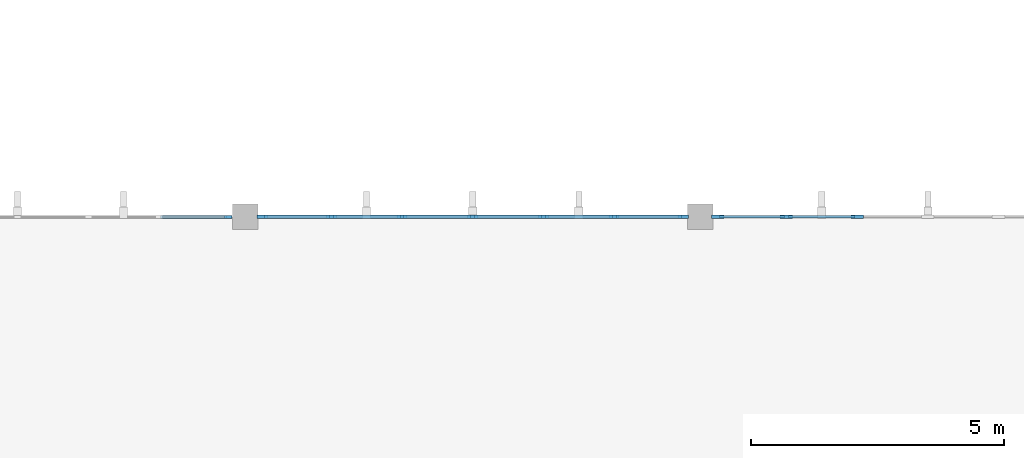
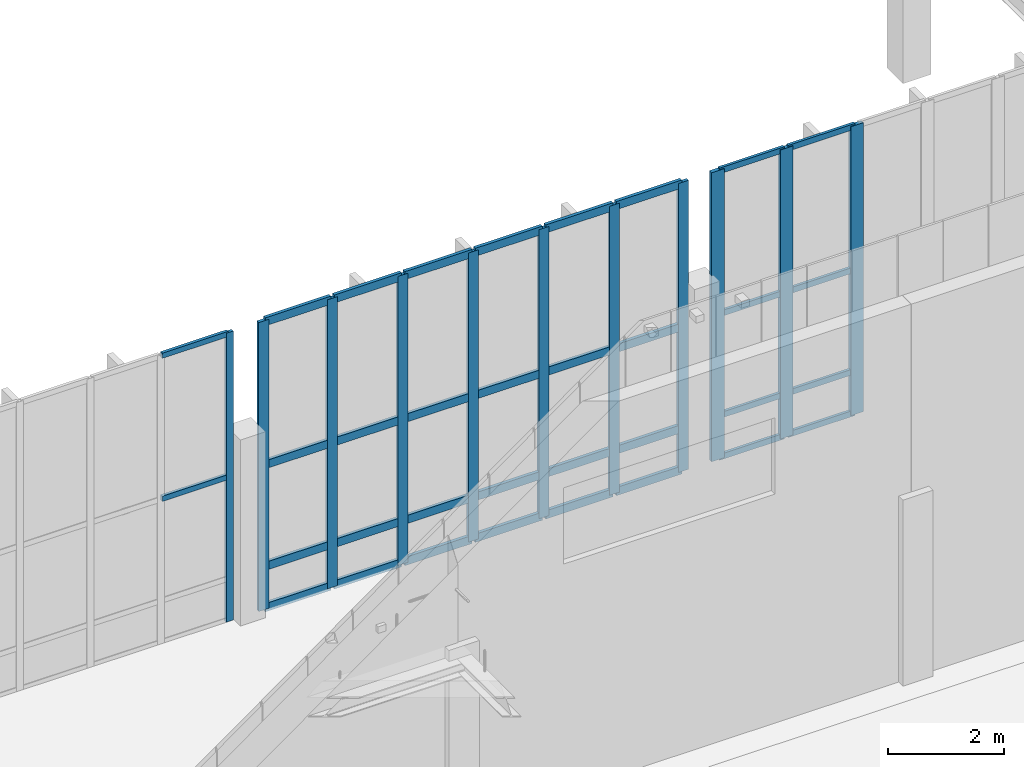
# One storey, part 26 of 67: 45 members, 3 elements without a shape of their own.
"""IFC4 building model written with IfcOpenShell, lengths in metres."""

from ifc_helpers import new_model, si_unit, direction, frame, origin, origin_2d, place, context, subcontext, project, spatial, rectangle, extrude, material, material_profile, profile_set, type_object, element, aggregate, save


model = new_model("IFC4")

# Units and contexts
model_context = context("Model", 3, precision=1e-05, world=origin(), true_north=direction((0.0, 1.0)))
body_context = subcontext(model_context, "Body", "Model", "MODEL_VIEW")
ifc_project = project(units=[si_unit("LENGTHUNIT", "METRE"), si_unit("AREAUNIT", "SQUARE_METRE"), si_unit("VOLUMEUNIT", "CUBIC_METRE"), si_unit("PLANEANGLEUNIT", "RADIAN"), si_unit("MASSUNIT", "GRAM", prefix="KILO")], contexts=[model_context])

# Site, building, storey
site_placement = place(None, origin())
site = spatial("IfcSite", under=ifc_project, at=site_placement, CompositionType="ELEMENT")
building_placement = place(site_placement, origin())
building = spatial("IfcBuilding", under=site, at=building_placement, Name="Tizgana Railside Sports Hall", CompositionType="ELEMENT")
storey_placement = place(building_placement, frame((0.0, 0.0, 12.0)))
storey = spatial("IfcBuildingStorey", under=building, at=storey_placement, Name="L02", CompositionType="ELEMENT", Elevation=12.0)

# Curtain wall, member
ifc_material_1 = material(Name="Anodised aluminium and glass", Category="aluminium")
curtain_wall_type_1 = type_object("IfcCurtainWallType", Name="Unitised Curtain Wall Concourse 1500", PredefinedType="NOTDEFINED", material=ifc_material_1)
curtain_wall_1_placement = place(storey_placement, origin())
curtain_wall_1 = element("IfcCurtainWall", 1, at=curtain_wall_1_placement, inside=storey, type_object=curtain_wall_type_1, Name="L02 Curtain Wall CW-0024", PredefinedType="NOTDEFINED")
ifc_material_2 = material(Name="Anodised aluminium", Category="aluminium")
ifc_material_profile_1 = material_profile(ifc_material_2, rectangle(XDim=0.06005859375, YDim=0.139892578125, at=origin_2d()), Name="Mullion 60x140")
ifc_profile_set_1 = profile_set([ifc_material_profile_1], Name="Anodised aluminium")
member_type_1 = type_object("IfcMemberType", Name="Mullion 60x140", PredefinedType="MULLION", material=ifc_profile_set_1)
member_1_placement = place(storey_placement, frame((115.465087890625, 80.39990234375, 0.0), z_axis=(0.0, 0.0, 1.0), x_axis=(0.0, 1.0, 0.0)))
member_1 = element("IfcMember", 2, at=member_1_placement, type_object=member_type_1, Name="CW-01 mullion 7", PredefinedType="MULLION", context=body_context, shape_type="SweptSolid", body=[
    extrude(rectangle(XDim=0.06005859375, YDim=0.139892578125, at=origin_2d()), origin(), (0.0, 0.0, 1.0), 6.06005859375),
])

# Curtain wall, members
curtain_wall_type_2 = type_object("IfcCurtainWallType", Name="Unitised Curtain Wall Climbing 1600", PredefinedType="NOTDEFINED", material=ifc_material_1)
curtain_wall_2_placement = place(storey_placement, origin())
curtain_wall_2 = element("IfcCurtainWall", 3, at=curtain_wall_2_placement, inside=storey, type_object=curtain_wall_type_2, Name="L02 Curtain Wall CW-0027", PredefinedType="NOTDEFINED")
ifc_material_profile_2 = material_profile(ifc_material_2, rectangle(XDim=0.06494140625, YDim=0.199951171875, at=origin_2d()), Name="Mullion 65x200")
ifc_profile_set_2 = profile_set([ifc_material_profile_2], Name="Anodised aluminium")
member_type_2 = type_object("IfcMemberType", Name="Mullion 65x200", PredefinedType="MULLION", material=ifc_profile_set_2)
member_2_placement = place(storey_placement, frame((116.137451171875, 80.39990234375, 0.0), z_axis=(0.0, 0.0, 1.0), x_axis=(0.0, 1.0, 0.0)))
member_2 = element("IfcMember", 4, at=member_2_placement, type_object=member_type_2, Name="CW-04 mullion 1", PredefinedType="MULLION", context=body_context, shape_type="SweptSolid", body=[
    extrude(rectangle(XDim=0.06494140625, YDim=0.199951171875, at=origin_2d()), origin(), (0.0, 0.0, 1.0), 6.06005859375),
])
member_3_placement = place(storey_placement, frame((117.50341796875, 80.39990234375, 0.0), z_axis=(0.0, 0.0, 1.0), x_axis=(0.0, 1.0, 0.0)))
member_3 = element("IfcMember", 5, at=member_3_placement, type_object=member_type_2, Name="CW-04 mullion 2", PredefinedType="MULLION", context=body_context, shape_type="SweptSolid", body=[
    extrude(rectangle(XDim=0.06494140625, YDim=0.199951171875, at=origin_2d()), origin(), (0.0, 0.0, 1.0), 6.06005859375),
])
member_4_placement = place(storey_placement, frame((118.901611328125, 80.39990234375, 0.0), z_axis=(0.0, 0.0, 1.0), x_axis=(0.0, 1.0, 0.0)))
member_4 = element("IfcMember", 6, at=member_4_placement, type_object=member_type_2, Name="CW-04 mullion 3", PredefinedType="MULLION", context=body_context, shape_type="SweptSolid", body=[
    extrude(rectangle(XDim=0.06494140625, YDim=0.199951171875, at=origin_2d()), origin(), (0.0, 0.0, 1.0), 6.06005859375),
])
member_5_placement = place(storey_placement, frame((120.300048828125, 80.39990234375, 0.0), z_axis=(0.0, 0.0, 1.0), x_axis=(0.0, 1.0, 0.0)))
member_5 = element("IfcMember", 7, at=member_5_placement, type_object=member_type_2, Name="CW-04 mullion 4", PredefinedType="MULLION", context=body_context, shape_type="SweptSolid", body=[
    extrude(rectangle(XDim=0.06494140625, YDim=0.199951171875, at=origin_2d()), origin(), (0.0, 0.0, 1.0), 6.06005859375),
])
member_6_placement = place(storey_placement, frame((121.6982421875, 80.39990234375, 0.0), z_axis=(0.0, 0.0, 1.0), x_axis=(0.0, 1.0, 0.0)))
member_6 = element("IfcMember", 8, at=member_6_placement, type_object=member_type_2, Name="CW-04 mullion 5", PredefinedType="MULLION", context=body_context, shape_type="SweptSolid", body=[
    extrude(rectangle(XDim=0.06494140625, YDim=0.199951171875, at=origin_2d()), origin(), (0.0, 0.0, 1.0), 6.06005859375),
])
member_7_placement = place(storey_placement, frame((123.0966796875, 80.39990234375, 0.0), z_axis=(0.0, 0.0, 1.0), x_axis=(0.0, 1.0, 0.0)))
member_7 = element("IfcMember", 9, at=member_7_placement, type_object=member_type_2, Name="CW-04 mullion 6", PredefinedType="MULLION", context=body_context, shape_type="SweptSolid", body=[
    extrude(rectangle(XDim=0.06494140625, YDim=0.199951171875, at=origin_2d()), origin(), (0.0, 0.0, 1.0), 6.06005859375),
])
member_8_placement = place(storey_placement, frame((124.46240234375, 80.39990234375, 0.0), z_axis=(0.0, 0.0, 1.0), x_axis=(0.0, 1.0, 0.0)))
member_8 = element("IfcMember", 10, at=member_8_placement, type_object=member_type_2, Name="CW-04 mullion 7", PredefinedType="MULLION", context=body_context, shape_type="SweptSolid", body=[
    extrude(rectangle(XDim=0.06494140625, YDim=0.199951171875, at=origin_2d()), origin(), (0.0, 0.0, 1.0), 6.06005859375),
])

curtain_wall_type_3 = type_object("IfcCurtainWallType", Name="Unitised Curtain Wall Passage 1800", PredefinedType="NOTDEFINED", material=ifc_material_1)
curtain_wall_3_placement = place(storey_placement, origin())
curtain_wall_3 = element("IfcCurtainWall", 11, at=curtain_wall_3_placement, inside=storey, type_object=curtain_wall_type_3, Name="L02 Curtain Wall CW-0029", PredefinedType="NOTDEFINED")
ifc_material_profile_3 = material_profile(ifc_material_2, rectangle(XDim=0.074951171875, YDim=0.25, at=origin_2d()), Name="Mullion 75x250")
ifc_profile_set_3 = profile_set([ifc_material_profile_3], Name="Anodised aluminium")
member_type_3 = type_object("IfcMemberType", Name="Mullion 75x250", PredefinedType="MULLION", material=ifc_profile_set_3)
member_9_placement = place(storey_placement, frame((125.142578125, 80.39990234375, 0.0), z_axis=(0.0, 0.0, 1.0), x_axis=(0.0, 1.0, 0.0)))
member_9 = element("IfcMember", 12, at=member_9_placement, type_object=member_type_3, Name="CW-06 mullion 1", PredefinedType="MULLION", context=body_context, shape_type="SweptSolid", body=[
    extrude(rectangle(XDim=0.074951171875, YDim=0.25, at=origin_2d()), origin(), (0.0, 0.0, 1.0), 6.06005859375),
])
member_10_placement = place(storey_placement, frame((126.50341796875, 80.39990234375, 0.0), z_axis=(0.0, 0.0, 1.0), x_axis=(0.0, 1.0, 0.0)))
member_10 = element("IfcMember", 13, at=member_10_placement, type_object=member_type_3, Name="CW-06 mullion 2", PredefinedType="MULLION", context=body_context, shape_type="SweptSolid", body=[
    extrude(rectangle(XDim=0.074951171875, YDim=0.25, at=origin_2d()), origin(), (0.0, 0.0, 1.0), 6.06005859375),
])
member_11_placement = place(storey_placement, frame((127.901611328125, 80.39990234375, 0.0), z_axis=(0.0, 0.0, 1.0), x_axis=(0.0, 1.0, 0.0)))
member_11 = element("IfcMember", 14, at=member_11_placement, type_object=member_type_3, Name="CW-06 mullion 3", PredefinedType="MULLION", context=body_context, shape_type="SweptSolid", body=[
    extrude(rectangle(XDim=0.074951171875, YDim=0.25, at=origin_2d()), origin(), (0.0, 0.0, 1.0), 6.06005859375),
])
ifc_material_profile_4 = material_profile(ifc_material_2, rectangle(XDim=0.054931640625, YDim=0.1201171875, at=origin_2d()), Name="Transom 55x120")
ifc_profile_set_4 = profile_set([ifc_material_profile_4], Name="Anodised aluminium")
member_type_4 = type_object("IfcMemberType", Name="Transom 55x120", PredefinedType="USERDEFINED", material=ifc_profile_set_4)
member_12_placement = place(storey_placement, frame((125.179931640625, 80.39990234375, 0.027587890625), z_axis=(1.0, 0.0, 0.0), x_axis=(0.0, 1.0, 0.0)))
member_12 = element("IfcMember", 15, at=member_12_placement, type_object=member_type_4, Name="CW-06 transom 1.1", ObjectType="TRANSOM", PredefinedType="USERDEFINED", context=body_context, shape_type="SweptSolid", body=[
    extrude(rectangle(XDim=0.054931640625, YDim=0.1201171875, at=origin_2d()), origin(), (0.0, 0.0, 1.0), 1.285888671875),
])
member_13_placement = place(storey_placement, frame((125.179931640625, 80.39990234375, 0.89990234375), z_axis=(1.0, 0.0, 0.0), x_axis=(0.0, 1.0, 0.0)))
member_13 = element("IfcMember", 16, at=member_13_placement, type_object=member_type_4, Name="CW-06 transom 1.2", ObjectType="TRANSOM", PredefinedType="USERDEFINED", context=body_context, shape_type="SweptSolid", body=[
    extrude(rectangle(XDim=0.054931640625, YDim=0.1201171875, at=origin_2d()), origin(), (0.0, 0.0, 1.0), 1.285888671875),
])
member_14_placement = place(storey_placement, frame((125.179931640625, 80.39990234375, 3.030029296875), z_axis=(1.0, 0.0, 0.0), x_axis=(0.0, 1.0, 0.0)))
member_14 = element("IfcMember", 17, at=member_14_placement, type_object=member_type_4, Name="CW-06 transom 1.3", ObjectType="TRANSOM", PredefinedType="USERDEFINED", context=body_context, shape_type="SweptSolid", body=[
    extrude(rectangle(XDim=0.054931640625, YDim=0.1201171875, at=origin_2d()), origin(), (0.0, 0.0, 1.0), 1.285888671875),
])
member_15_placement = place(storey_placement, frame((125.179931640625, 80.39990234375, 6.032470703125), z_axis=(1.0, 0.0, 0.0), x_axis=(0.0, 1.0, 0.0)))
member_15 = element("IfcMember", 18, at=member_15_placement, type_object=member_type_4, Name="CW-06 transom 1.4", ObjectType="TRANSOM", PredefinedType="USERDEFINED", context=body_context, shape_type="SweptSolid", body=[
    extrude(rectangle(XDim=0.054931640625, YDim=0.1201171875, at=origin_2d()), origin(), (0.0, 0.0, 1.0), 1.285888671875),
])
member_16_placement = place(storey_placement, frame((126.540771484375, 80.39990234375, 0.027587890625), z_axis=(1.0, 0.0, 0.0), x_axis=(0.0, 1.0, 0.0)))
member_16 = element("IfcMember", 19, at=member_16_placement, type_object=member_type_4, Name="CW-06 transom 2.1", ObjectType="TRANSOM", PredefinedType="USERDEFINED", context=body_context, shape_type="SweptSolid", body=[
    extrude(rectangle(XDim=0.054931640625, YDim=0.1201171875, at=origin_2d()), origin(), (0.0, 0.0, 1.0), 1.323486328125),
])
member_17_placement = place(storey_placement, frame((126.540771484375, 80.39990234375, 0.89990234375), z_axis=(1.0, 0.0, 0.0), x_axis=(0.0, 1.0, 0.0)))
member_17 = element("IfcMember", 20, at=member_17_placement, type_object=member_type_4, Name="CW-06 transom 2.2", ObjectType="TRANSOM", PredefinedType="USERDEFINED", context=body_context, shape_type="SweptSolid", body=[
    extrude(rectangle(XDim=0.054931640625, YDim=0.1201171875, at=origin_2d()), origin(), (0.0, 0.0, 1.0), 1.323486328125),
])
member_18_placement = place(storey_placement, frame((126.540771484375, 80.39990234375, 3.030029296875), z_axis=(1.0, 0.0, 0.0), x_axis=(0.0, 1.0, 0.0)))
member_18 = element("IfcMember", 21, at=member_18_placement, type_object=member_type_4, Name="CW-06 transom 2.3", ObjectType="TRANSOM", PredefinedType="USERDEFINED", context=body_context, shape_type="SweptSolid", body=[
    extrude(rectangle(XDim=0.054931640625, YDim=0.1201171875, at=origin_2d()), origin(), (0.0, 0.0, 1.0), 1.323486328125),
])
member_19_placement = place(storey_placement, frame((126.540771484375, 80.39990234375, 6.032470703125), z_axis=(1.0, 0.0, 0.0), x_axis=(0.0, 1.0, 0.0)))
member_19 = element("IfcMember", 22, at=member_19_placement, type_object=member_type_4, Name="CW-06 transom 2.4", ObjectType="TRANSOM", PredefinedType="USERDEFINED", context=body_context, shape_type="SweptSolid", body=[
    extrude(rectangle(XDim=0.054931640625, YDim=0.1201171875, at=origin_2d()), origin(), (0.0, 0.0, 1.0), 1.323486328125),
])
aggregate(curtain_wall_3, [member_9, member_10, member_11, member_12, member_13, member_14, member_15, member_16, member_17, member_18, member_19])

# Member
ifc_material_profile_5 = material_profile(ifc_material_2, rectangle(XDim=0.06005859375, YDim=0.110107421875, at=origin_2d()), Name="Transom 60x110")
ifc_profile_set_5 = profile_set([ifc_material_profile_5], Name="Anodised aluminium")
member_type_5 = type_object("IfcMemberType", Name="Transom 60x110", PredefinedType="USERDEFINED", material=ifc_profile_set_5)
member_20_placement = place(storey_placement, frame((114.126708984375, 80.39990234375, 3.030029296875), z_axis=(1.0, 0.0, 0.0), x_axis=(0.0, 1.0, 0.0)))
member_20 = element("IfcMember", 23, at=member_20_placement, type_object=member_type_5, Name="CW-01 transom 6.3", ObjectType="TRANSOM", PredefinedType="USERDEFINED", context=body_context, shape_type="SweptSolid", body=[
    extrude(rectangle(XDim=0.06005859375, YDim=0.110107421875, at=origin_2d()), origin(), (0.0, 0.0, 1.0), 1.308349609375),
])

member_21_placement = place(storey_placement, frame((114.126708984375, 80.39990234375, 6.030029296875), z_axis=(1.0, 0.0, 0.0), x_axis=(0.0, 1.0, 0.0)))
member_21 = element("IfcMember", 24, at=member_21_placement, type_object=member_type_5, Name="CW-01 transom 6.4", ObjectType="TRANSOM", PredefinedType="USERDEFINED", context=body_context, shape_type="SweptSolid", body=[
    extrude(rectangle(XDim=0.06005859375, YDim=0.110107421875, at=origin_2d()), origin(), (0.0, 0.0, 1.0), 1.308349609375),
])

aggregate(curtain_wall_1, [member_1, member_20, member_21])

ifc_material_profile_6 = material_profile(ifc_material_2, rectangle(XDim=0.06494140625, YDim=0.169921875, at=origin_2d()), Name="Transom 65x170")
ifc_profile_set_6 = profile_set([ifc_material_profile_6], Name="Anodised aluminium")
member_type_6 = type_object("IfcMemberType", Name="Transom 65x170", PredefinedType="USERDEFINED", material=ifc_profile_set_6)
member_22_placement = place(storey_placement, frame((116.169921875, 80.39990234375, 0.032470703125), z_axis=(1.0, 0.0, 0.0), x_axis=(0.0, 1.0, 0.0)))
member_22 = element("IfcMember", 25, at=member_22_placement, type_object=member_type_6, Name="CW-04 transom 1.1", ObjectType="TRANSOM", PredefinedType="USERDEFINED", context=body_context, shape_type="SweptSolid", body=[
    extrude(rectangle(XDim=0.06494140625, YDim=0.169921875, at=origin_2d()), origin(), (0.0, 0.0, 1.0), 1.301025390625),
])

member_23_placement = place(storey_placement, frame((116.169921875, 80.39990234375, 0.89990234375), z_axis=(1.0, 0.0, 0.0), x_axis=(0.0, 1.0, 0.0)))
member_23 = element("IfcMember", 26, at=member_23_placement, type_object=member_type_6, Name="CW-04 transom 1.2", ObjectType="TRANSOM", PredefinedType="USERDEFINED", context=body_context, shape_type="SweptSolid", body=[
    extrude(rectangle(XDim=0.06494140625, YDim=0.169921875, at=origin_2d()), origin(), (0.0, 0.0, 1.0), 1.301025390625),
])

member_24_placement = place(storey_placement, frame((116.169921875, 80.39990234375, 3.030029296875), z_axis=(1.0, 0.0, 0.0), x_axis=(0.0, 1.0, 0.0)))
member_24 = element("IfcMember", 27, at=member_24_placement, type_object=member_type_6, Name="CW-04 transom 1.3", ObjectType="TRANSOM", PredefinedType="USERDEFINED", context=body_context, shape_type="SweptSolid", body=[
    extrude(rectangle(XDim=0.06494140625, YDim=0.169921875, at=origin_2d()), origin(), (0.0, 0.0, 1.0), 1.301025390625),
])

member_25_placement = place(storey_placement, frame((116.169921875, 80.39990234375, 6.027587890625), z_axis=(1.0, 0.0, 0.0), x_axis=(0.0, 1.0, 0.0)))
member_25 = element("IfcMember", 28, at=member_25_placement, type_object=member_type_6, Name="CW-04 transom 1.4", ObjectType="TRANSOM", PredefinedType="USERDEFINED", context=body_context, shape_type="SweptSolid", body=[
    extrude(rectangle(XDim=0.06494140625, YDim=0.169921875, at=origin_2d()), origin(), (0.0, 0.0, 1.0), 1.301025390625),
])

member_26_placement = place(storey_placement, frame((117.535888671875, 80.39990234375, 0.032470703125), z_axis=(1.0, 0.0, 0.0), x_axis=(0.0, 1.0, 0.0)))
member_26 = element("IfcMember", 29, at=member_26_placement, type_object=member_type_6, Name="CW-04 transom 2.1", ObjectType="TRANSOM", PredefinedType="USERDEFINED", context=body_context, shape_type="SweptSolid", body=[
    extrude(rectangle(XDim=0.06494140625, YDim=0.169921875, at=origin_2d()), origin(), (0.0, 0.0, 1.0), 1.333251953125),
])

member_27_placement = place(storey_placement, frame((117.535888671875, 80.39990234375, 0.89990234375), z_axis=(1.0, 0.0, 0.0), x_axis=(0.0, 1.0, 0.0)))
member_27 = element("IfcMember", 30, at=member_27_placement, type_object=member_type_6, Name="CW-04 transom 2.2", ObjectType="TRANSOM", PredefinedType="USERDEFINED", context=body_context, shape_type="SweptSolid", body=[
    extrude(rectangle(XDim=0.06494140625, YDim=0.169921875, at=origin_2d()), origin(), (0.0, 0.0, 1.0), 1.333251953125),
])

member_28_placement = place(storey_placement, frame((117.535888671875, 80.39990234375, 3.030029296875), z_axis=(1.0, 0.0, 0.0), x_axis=(0.0, 1.0, 0.0)))
member_28 = element("IfcMember", 31, at=member_28_placement, type_object=member_type_6, Name="CW-04 transom 2.3", ObjectType="TRANSOM", PredefinedType="USERDEFINED", context=body_context, shape_type="SweptSolid", body=[
    extrude(rectangle(XDim=0.06494140625, YDim=0.169921875, at=origin_2d()), origin(), (0.0, 0.0, 1.0), 1.333251953125),
])

member_29_placement = place(storey_placement, frame((117.535888671875, 80.39990234375, 6.027587890625), z_axis=(1.0, 0.0, 0.0), x_axis=(0.0, 1.0, 0.0)))
member_29 = element("IfcMember", 32, at=member_29_placement, type_object=member_type_6, Name="CW-04 transom 2.4", ObjectType="TRANSOM", PredefinedType="USERDEFINED", context=body_context, shape_type="SweptSolid", body=[
    extrude(rectangle(XDim=0.06494140625, YDim=0.169921875, at=origin_2d()), origin(), (0.0, 0.0, 1.0), 1.333251953125),
])

member_30_placement = place(storey_placement, frame((118.93408203125, 80.39990234375, 0.032470703125), z_axis=(1.0, 0.0, 0.0), x_axis=(0.0, 1.0, 0.0)))
member_30 = element("IfcMember", 33, at=member_30_placement, type_object=member_type_6, Name="CW-04 transom 3.1", ObjectType="TRANSOM", PredefinedType="USERDEFINED", context=body_context, shape_type="SweptSolid", body=[
    extrude(rectangle(XDim=0.06494140625, YDim=0.169921875, at=origin_2d()), origin(), (0.0, 0.0, 1.0), 1.33349609375),
])

member_31_placement = place(storey_placement, frame((118.93408203125, 80.39990234375, 0.89990234375), z_axis=(1.0, 0.0, 0.0), x_axis=(0.0, 1.0, 0.0)))
member_31 = element("IfcMember", 34, at=member_31_placement, type_object=member_type_6, Name="CW-04 transom 3.2", ObjectType="TRANSOM", PredefinedType="USERDEFINED", context=body_context, shape_type="SweptSolid", body=[
    extrude(rectangle(XDim=0.06494140625, YDim=0.169921875, at=origin_2d()), origin(), (0.0, 0.0, 1.0), 1.33349609375),
])

member_32_placement = place(storey_placement, frame((118.93408203125, 80.39990234375, 3.030029296875), z_axis=(1.0, 0.0, 0.0), x_axis=(0.0, 1.0, 0.0)))
member_32 = element("IfcMember", 35, at=member_32_placement, type_object=member_type_6, Name="CW-04 transom 3.3", ObjectType="TRANSOM", PredefinedType="USERDEFINED", context=body_context, shape_type="SweptSolid", body=[
    extrude(rectangle(XDim=0.06494140625, YDim=0.169921875, at=origin_2d()), origin(), (0.0, 0.0, 1.0), 1.33349609375),
])

member_33_placement = place(storey_placement, frame((118.93408203125, 80.39990234375, 6.027587890625), z_axis=(1.0, 0.0, 0.0), x_axis=(0.0, 1.0, 0.0)))
member_33 = element("IfcMember", 36, at=member_33_placement, type_object=member_type_6, Name="CW-04 transom 3.4", ObjectType="TRANSOM", PredefinedType="USERDEFINED", context=body_context, shape_type="SweptSolid", body=[
    extrude(rectangle(XDim=0.06494140625, YDim=0.169921875, at=origin_2d()), origin(), (0.0, 0.0, 1.0), 1.33349609375),
])

member_34_placement = place(storey_placement, frame((120.33251953125, 80.39990234375, 0.032470703125), z_axis=(1.0, 0.0, 0.0), x_axis=(0.0, 1.0, 0.0)))
member_34 = element("IfcMember", 37, at=member_34_placement, type_object=member_type_6, Name="CW-04 transom 4.1", ObjectType="TRANSOM", PredefinedType="USERDEFINED", context=body_context, shape_type="SweptSolid", body=[
    extrude(rectangle(XDim=0.06494140625, YDim=0.169921875, at=origin_2d()), origin(), (0.0, 0.0, 1.0), 1.333251953125),
])

member_35_placement = place(storey_placement, frame((120.33251953125, 80.39990234375, 0.89990234375), z_axis=(1.0, 0.0, 0.0), x_axis=(0.0, 1.0, 0.0)))
member_35 = element("IfcMember", 38, at=member_35_placement, type_object=member_type_6, Name="CW-04 transom 4.2", ObjectType="TRANSOM", PredefinedType="USERDEFINED", context=body_context, shape_type="SweptSolid", body=[
    extrude(rectangle(XDim=0.06494140625, YDim=0.169921875, at=origin_2d()), origin(), (0.0, 0.0, 1.0), 1.333251953125),
])

member_36_placement = place(storey_placement, frame((120.33251953125, 80.39990234375, 3.030029296875), z_axis=(1.0, 0.0, 0.0), x_axis=(0.0, 1.0, 0.0)))
member_36 = element("IfcMember", 39, at=member_36_placement, type_object=member_type_6, Name="CW-04 transom 4.3", ObjectType="TRANSOM", PredefinedType="USERDEFINED", context=body_context, shape_type="SweptSolid", body=[
    extrude(rectangle(XDim=0.06494140625, YDim=0.169921875, at=origin_2d()), origin(), (0.0, 0.0, 1.0), 1.333251953125),
])

member_37_placement = place(storey_placement, frame((120.33251953125, 80.39990234375, 6.027587890625), z_axis=(1.0, 0.0, 0.0), x_axis=(0.0, 1.0, 0.0)))
member_37 = element("IfcMember", 40, at=member_37_placement, type_object=member_type_6, Name="CW-04 transom 4.4", ObjectType="TRANSOM", PredefinedType="USERDEFINED", context=body_context, shape_type="SweptSolid", body=[
    extrude(rectangle(XDim=0.06494140625, YDim=0.169921875, at=origin_2d()), origin(), (0.0, 0.0, 1.0), 1.333251953125),
])

member_38_placement = place(storey_placement, frame((121.730712890625, 80.39990234375, 0.032470703125), z_axis=(1.0, 0.0, 0.0), x_axis=(0.0, 1.0, 0.0)))
member_38 = element("IfcMember", 41, at=member_38_placement, type_object=member_type_6, Name="CW-04 transom 5.1", ObjectType="TRANSOM", PredefinedType="USERDEFINED", context=body_context, shape_type="SweptSolid", body=[
    extrude(rectangle(XDim=0.06494140625, YDim=0.169921875, at=origin_2d()), origin(), (0.0, 0.0, 1.0), 1.33349609375),
])

member_39_placement = place(storey_placement, frame((121.730712890625, 80.39990234375, 0.89990234375), z_axis=(1.0, 0.0, 0.0), x_axis=(0.0, 1.0, 0.0)))
member_39 = element("IfcMember", 42, at=member_39_placement, type_object=member_type_6, Name="CW-04 transom 5.2", ObjectType="TRANSOM", PredefinedType="USERDEFINED", context=body_context, shape_type="SweptSolid", body=[
    extrude(rectangle(XDim=0.06494140625, YDim=0.169921875, at=origin_2d()), origin(), (0.0, 0.0, 1.0), 1.33349609375),
])

member_40_placement = place(storey_placement, frame((121.730712890625, 80.39990234375, 3.030029296875), z_axis=(1.0, 0.0, 0.0), x_axis=(0.0, 1.0, 0.0)))
member_40 = element("IfcMember", 43, at=member_40_placement, type_object=member_type_6, Name="CW-04 transom 5.3", ObjectType="TRANSOM", PredefinedType="USERDEFINED", context=body_context, shape_type="SweptSolid", body=[
    extrude(rectangle(XDim=0.06494140625, YDim=0.169921875, at=origin_2d()), origin(), (0.0, 0.0, 1.0), 1.33349609375),
])

member_41_placement = place(storey_placement, frame((121.730712890625, 80.39990234375, 6.027587890625), z_axis=(1.0, 0.0, 0.0), x_axis=(0.0, 1.0, 0.0)))
member_41 = element("IfcMember", 44, at=member_41_placement, type_object=member_type_6, Name="CW-04 transom 5.4", ObjectType="TRANSOM", PredefinedType="USERDEFINED", context=body_context, shape_type="SweptSolid", body=[
    extrude(rectangle(XDim=0.06494140625, YDim=0.169921875, at=origin_2d()), origin(), (0.0, 0.0, 1.0), 1.33349609375),
])

member_42_placement = place(storey_placement, frame((123.129150390625, 80.39990234375, 0.032470703125), z_axis=(1.0, 0.0, 0.0), x_axis=(0.0, 1.0, 0.0)))
member_42 = element("IfcMember", 45, at=member_42_placement, type_object=member_type_6, Name="CW-04 transom 6.1", ObjectType="TRANSOM", PredefinedType="USERDEFINED", context=body_context, shape_type="SweptSolid", body=[
    extrude(rectangle(XDim=0.06494140625, YDim=0.169921875, at=origin_2d()), origin(), (0.0, 0.0, 1.0), 1.30078125),
])

member_43_placement = place(storey_placement, frame((123.129150390625, 80.39990234375, 0.89990234375), z_axis=(1.0, 0.0, 0.0), x_axis=(0.0, 1.0, 0.0)))
member_43 = element("IfcMember", 46, at=member_43_placement, type_object=member_type_6, Name="CW-04 transom 6.2", ObjectType="TRANSOM", PredefinedType="USERDEFINED", context=body_context, shape_type="SweptSolid", body=[
    extrude(rectangle(XDim=0.06494140625, YDim=0.169921875, at=origin_2d()), origin(), (0.0, 0.0, 1.0), 1.30078125),
])

member_44_placement = place(storey_placement, frame((123.129150390625, 80.39990234375, 3.030029296875), z_axis=(1.0, 0.0, 0.0), x_axis=(0.0, 1.0, 0.0)))
member_44 = element("IfcMember", 47, at=member_44_placement, type_object=member_type_6, Name="CW-04 transom 6.3", ObjectType="TRANSOM", PredefinedType="USERDEFINED", context=body_context, shape_type="SweptSolid", body=[
    extrude(rectangle(XDim=0.06494140625, YDim=0.169921875, at=origin_2d()), origin(), (0.0, 0.0, 1.0), 1.30078125),
])

member_45_placement = place(storey_placement, frame((123.129150390625, 80.39990234375, 6.027587890625), z_axis=(1.0, 0.0, 0.0), x_axis=(0.0, 1.0, 0.0)))
member_45 = element("IfcMember", 48, at=member_45_placement, type_object=member_type_6, Name="CW-04 transom 6.4", ObjectType="TRANSOM", PredefinedType="USERDEFINED", context=body_context, shape_type="SweptSolid", body=[
    extrude(rectangle(XDim=0.06494140625, YDim=0.169921875, at=origin_2d()), origin(), (0.0, 0.0, 1.0), 1.30078125),
])

aggregate(curtain_wall_2, [member_2, member_3, member_4, member_5, member_6, member_7, member_8, member_22, member_23, member_24, member_25, member_26, member_27, member_28, member_29, member_30, member_31, member_32, member_33, member_34, member_35, member_36, member_37, member_38, member_39, member_40, member_41, member_42, member_43, member_44, member_45])

save(model, "model.ifc")
